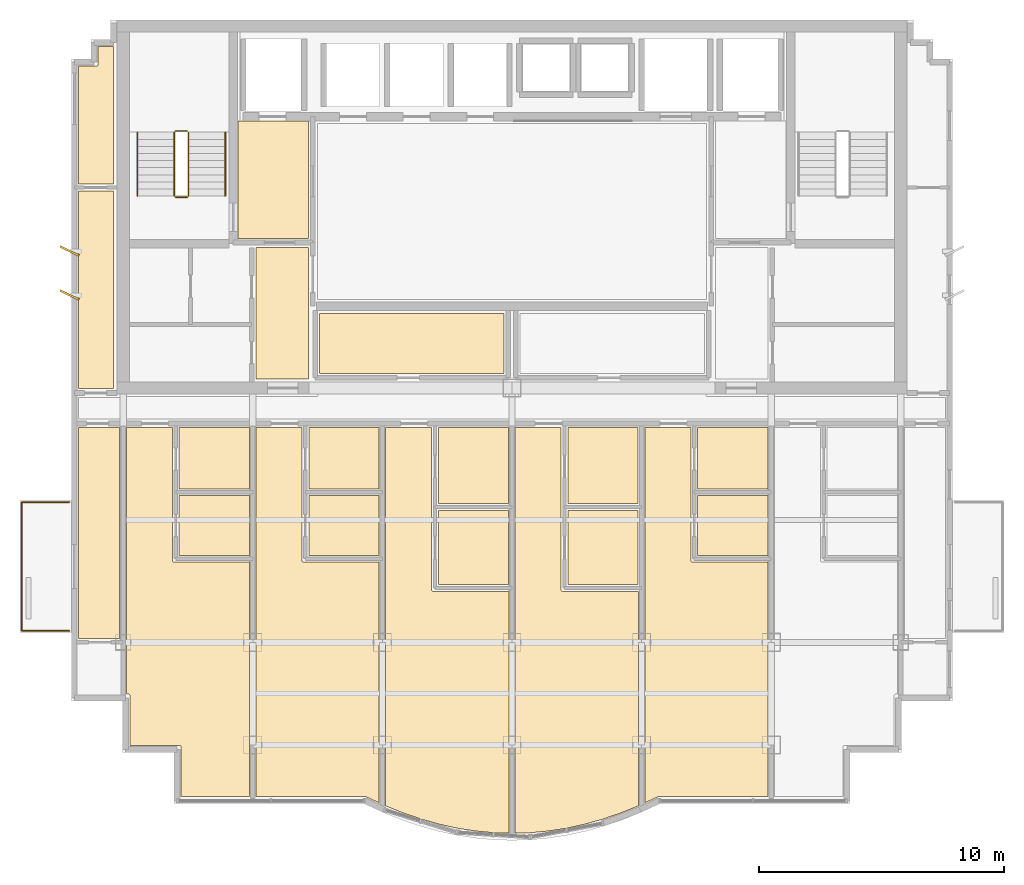
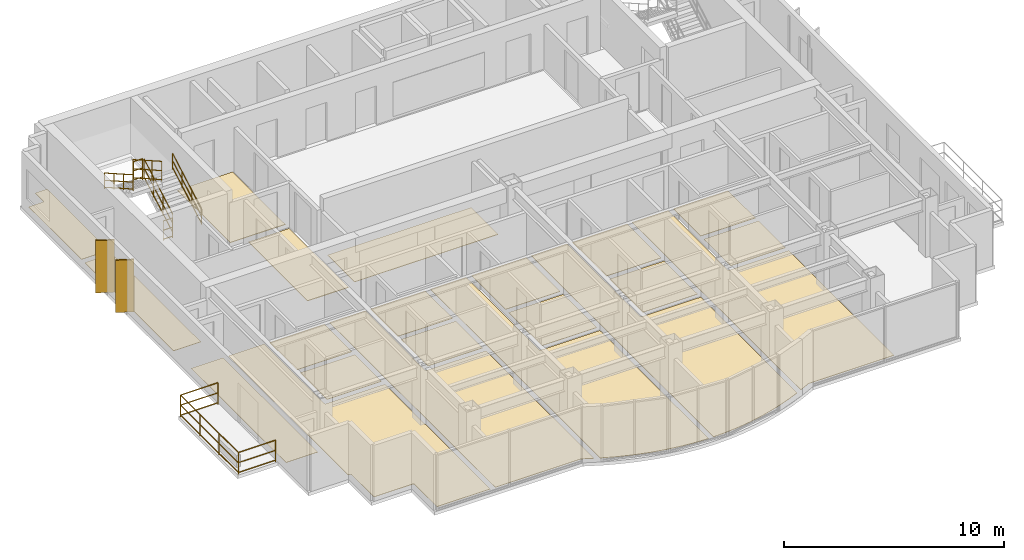
# One storey, part 8 of 9: 21 coverings, 7 railings, 2 shading devices.
"""IFC4 building model written with IfcOpenShell, lengths in metres."""

from ifc_helpers import new_model, si_unit, direction, frame, origin, origin_2d, place, context, subcontext, project, spatial, polyline, rectangle, circle, outline, extrude, source, transform, mapped, material, layer, layer_set, type_object, element, save


model = new_model("IFC4")

# Units and contexts
model_context = context("Model", 3, precision=1e-05, world=origin(), true_north=direction((0.0, 1.0)))
body_context = subcontext(model_context, "Body", "Model", "MODEL_VIEW")
ifc_project = project(units=[si_unit("LENGTHUNIT", "METRE"), si_unit("AREAUNIT", "SQUARE_METRE"), si_unit("VOLUMEUNIT", "CUBIC_METRE"), si_unit("PLANEANGLEUNIT", "RADIAN"), si_unit("MASSUNIT", "GRAM", prefix="KILO")], contexts=[model_context])

# Site, building, storey
site_placement = place(None, origin())
site = spatial("IfcSite", under=ifc_project, at=site_placement, CompositionType="ELEMENT")
building_placement = place(site_placement, origin())
building = spatial("IfcBuilding", under=site, at=building_placement, Name="Qianlan Lanfeng Residences", CompositionType="ELEMENT")
storey_placement = place(building_placement, frame((0.0, 0.0, 233.0)))
storey = spatial("IfcBuildingStorey", under=building, at=storey_placement, Name="L64", CompositionType="ELEMENT", Elevation=233.0)

# Coverings
ifc_material_1 = material(Name="Honed Taitung Granite Stone Flooring", Category="masonry")
ifc_layer_1 = layer(ifc_material_1, 0.030029296875)
ifc_layer_set_1 = layer_set([ifc_layer_1], Name="Honed Taitung Granite Stone Flooring")
covering_type_1 = type_object("IfcCoveringType", Name="FLR-STN-30", PredefinedType="FLOORING", material=ifc_layer_set_1)
covering_1_placement = place(storey_placement, origin())
element("IfcCovering", 1, at=covering_1_placement, inside=storey, type_object=covering_type_1, Name="L64 Firefighting Lift Lobby Floor Finish", PredefinedType="FLOORING", context=body_context, shape_type="SweptSolid", body=[
    extrude(outline(polyline([(15.2900390625, 31.320068359375), (18.179931640625, 31.320068359375), (18.179931640625, 36.110107421875), (15.2900390625, 36.110107421875), (15.2900390625, 31.320068359375)])), origin(), (0.0, 0.0, 1.0), 0.030029296875),
])
covering_2_placement = place(storey_placement, origin())
element("IfcCovering", 2, at=covering_2_placement, inside=storey, type_object=covering_type_1, Name="L64 Lift Lobby Floor Finish", PredefinedType="FLOORING", context=body_context, shape_type="SweptSolid", body=[
    extrude(outline(polyline([(16.030029296875, 25.56005859375), (18.169921875, 25.56005859375), (18.169921875, 30.949951171875), (16.030029296875, 30.949951171875), (16.030029296875, 25.56005859375)])), origin(), (0.0, 0.0, 1.0), 0.030029296875),
])
ifc_material_2 = material(Name="Slip-Resistant Porcelain Tile Flooring")
ifc_layer_2 = layer(ifc_material_2, 0.02001953125)
ifc_layer_set_2 = layer_set([ifc_layer_2], Name="Slip-Resistant Porcelain Tile Flooring")
covering_type_2 = type_object("IfcCoveringType", Name="FLR-TIL-20", PredefinedType="FLOORING", material=ifc_layer_set_2)
covering_3_placement = place(storey_placement, origin())
element("IfcCovering", 3, at=covering_3_placement, inside=storey, type_object=covering_type_2, Name="L64 Kitchen Floor Finish", PredefinedType="FLOORING", context=body_context, shape_type="SweptSolid", body=[
    extrude(outline(polyline([(12.889892578125, 18.360107421875), (15.760009765625, 18.360107421875), (15.760009765625, 20.794921875), (12.889892578125, 20.794921875), (12.889892578125, 18.360107421875)])), origin(), (0.0, 0.0, 1.0), 0.02001953125),
])
covering_4_placement = place(storey_placement, origin())
element("IfcCovering", 4, at=covering_4_placement, inside=storey, type_object=covering_type_2, Name="L64 Bathroom Floor Finish", PredefinedType="FLOORING", context=body_context, shape_type="SweptSolid", body=[
    extrude(outline(polyline([(12.889892578125, 21.074951171875), (15.760009765625, 21.074951171875), (15.760009765625, 23.580078125), (12.889892578125, 23.580078125), (12.889892578125, 21.074951171875)])), origin(), (0.0, 0.0, 1.0), 0.02001953125),
])
covering_5_placement = place(storey_placement, origin())
element("IfcCovering", 5, at=covering_5_placement, inside=storey, type_object=covering_type_2, Name="L64 Kitchen Floor Finish", PredefinedType="FLOORING", context=body_context, shape_type="SweptSolid", body=[
    extrude(outline(polyline([(18.18994140625, 18.360107421875), (21.06005859375, 18.360107421875), (21.06005859375, 20.794921875), (18.18994140625, 20.794921875), (18.18994140625, 18.360107421875)])), origin(), (0.0, 0.0, 1.0), 0.02001953125),
])
covering_6_placement = place(storey_placement, origin())
element("IfcCovering", 6, at=covering_6_placement, inside=storey, type_object=covering_type_2, Name="L64 Bathroom Floor Finish", PredefinedType="FLOORING", context=body_context, shape_type="SweptSolid", body=[
    extrude(outline(polyline([(18.18994140625, 21.074951171875), (21.06005859375, 21.074951171875), (21.06005859375, 23.580078125), (18.18994140625, 23.580078125), (18.18994140625, 21.074951171875)])), origin(), (0.0, 0.0, 1.0), 0.02001953125),
])
covering_7_placement = place(storey_placement, origin())
element("IfcCovering", 7, at=covering_7_placement, inside=storey, type_object=covering_type_2, Name="L64 Kitchen Floor Finish", PredefinedType="FLOORING", context=body_context, shape_type="SweptSolid", body=[
    extrude(outline(polyline([(23.489990234375, 17.159912109375), (26.360107421875, 17.159912109375), (26.360107421875, 20.195068359375), (23.489990234375, 20.195068359375), (23.489990234375, 17.159912109375)])), origin(), (0.0, 0.0, 1.0), 0.02001953125),
])
covering_8_placement = place(storey_placement, origin())
element("IfcCovering", 8, at=covering_8_placement, inside=storey, type_object=covering_type_2, Name="L64 Bathroom Floor Finish", PredefinedType="FLOORING", context=body_context, shape_type="SweptSolid", body=[
    extrude(outline(polyline([(23.489990234375, 20.47509765625), (26.360107421875, 20.47509765625), (26.360107421875, 23.580078125), (23.489990234375, 23.580078125), (23.489990234375, 20.47509765625)])), origin(), (0.0, 0.0, 1.0), 0.02001953125),
])
covering_9_placement = place(storey_placement, origin())
element("IfcCovering", 9, at=covering_9_placement, inside=storey, type_object=covering_type_2, Name="L64 Kitchen Floor Finish", PredefinedType="FLOORING", context=body_context, shape_type="SweptSolid", body=[
    extrude(outline(polyline([(28.7900390625, 17.159912109375), (31.659912109375, 17.159912109375), (31.659912109375, 20.195068359375), (28.7900390625, 20.195068359375), (28.7900390625, 17.159912109375)])), origin(), (0.0, 0.0, 1.0), 0.02001953125),
])
covering_10_placement = place(storey_placement, origin())
element("IfcCovering", 10, at=covering_10_placement, inside=storey, type_object=covering_type_2, Name="L64 Bathroom Floor Finish", PredefinedType="FLOORING", context=body_context, shape_type="SweptSolid", body=[
    extrude(outline(polyline([(28.7900390625, 20.47509765625), (31.659912109375, 20.47509765625), (31.659912109375, 23.580078125), (28.7900390625, 23.580078125), (28.7900390625, 20.47509765625)])), origin(), (0.0, 0.0, 1.0), 0.02001953125),
])
covering_11_placement = place(storey_placement, origin())
element("IfcCovering", 11, at=covering_11_placement, inside=storey, type_object=covering_type_2, Name="L64 Kitchen Floor Finish", PredefinedType="FLOORING", context=body_context, shape_type="SweptSolid", body=[
    extrude(outline(polyline([(34.090087890625, 18.360107421875), (36.9599609375, 18.360107421875), (36.9599609375, 20.794921875), (34.090087890625, 20.794921875), (34.090087890625, 18.360107421875)])), origin(), (0.0, 0.0, 1.0), 0.02001953125),
])
covering_12_placement = place(storey_placement, origin())
element("IfcCovering", 12, at=covering_12_placement, inside=storey, type_object=covering_type_2, Name="L64 Bathroom Floor Finish", PredefinedType="FLOORING", context=body_context, shape_type="SweptSolid", body=[
    extrude(outline(polyline([(34.090087890625, 21.074951171875), (36.9599609375, 21.074951171875), (36.9599609375, 23.580078125), (34.090087890625, 23.580078125), (34.090087890625, 21.074951171875)])), origin(), (0.0, 0.0, 1.0), 0.02001953125),
])
ifc_material_3 = material(Name="Engineered Smoked Oak Timber Flooring", Category="wood")
ifc_layer_3 = layer(ifc_material_3, 0.02197265625)
ifc_layer_set_3 = layer_set([ifc_layer_3], Name="Engineered Smoked Oak Timber Flooring")
covering_type_3 = type_object("IfcCoveringType", Name="FLR-TIM-22", PredefinedType="FLOORING", material=ifc_layer_set_3)
covering_13_placement = place(storey_placement, origin())
element("IfcCovering", 13, at=covering_13_placement, inside=storey, type_object=covering_type_3, Name="L64 Gallery Salon Floor Finish", PredefinedType="FLOORING", context=body_context, shape_type="SweptSolid", body=[
    extrude(outline(polyline([(18.6298828125, 25.800048828125), (26.169921875, 25.800048828125), (26.169921875, 28.2548828125), (18.6298828125, 28.2548828125), (18.6298828125, 25.800048828125)])), origin(), (0.0, 0.0, 1.0), 0.02197265625),
])
covering_14_placement = place(storey_placement, origin())
element("IfcCovering", 14, at=covering_14_placement, inside=storey, type_object=covering_type_3, Name="L64 Studio Living Room Floor Finish", PredefinedType="FLOORING", context=body_context, shape_type="SweptSolid", body=[
    extrude(outline(polyline([(15.77001953125, 8.489990234375), (15.77001953125, 18.080078125), (12.679931640625, 18.080078125), (12.673095703125, 18.080078125), (12.666015625, 18.0810546875), (12.659912109375, 18.0830078125), (12.653076171875, 18.0849609375), (12.64697265625, 18.087890625), (12.64111328125, 18.092041015625), (12.635986328125, 18.095947265625), (12.631103515625, 18.10107421875), (12.6259765625, 18.10595703125), (12.6220703125, 18.111083984375), (12.617919921875, 18.116943359375), (12.614990234375, 18.123046875), (12.613037109375, 18.1298828125), (12.611083984375, 18.135986328125), (12.610107421875, 18.14306640625), (12.610107421875, 18.14990234375), (12.610107421875, 23.580078125), (10.72998046875, 23.580078125), (10.72998046875, 12.68994140625), (10.800048828125, 12.68994140625), (10.806884765625, 12.68994140625), (10.81396484375, 12.68896484375), (10.820068359375, 12.68701171875), (10.826904296875, 12.68505859375), (10.8330078125, 12.681884765625), (10.839111328125, 12.677978515625), (10.843994140625, 12.674072265625), (10.84912109375, 12.6689453125), (10.85400390625, 12.6640625), (10.85791015625, 12.658935546875), (10.862060546875, 12.653076171875), (10.864990234375, 12.64697265625), (10.866943359375, 12.639892578125), (10.868896484375, 12.634033203125), (10.8701171875, 12.626953125), (10.8701171875, 12.6201171875), (10.8701171875, 10.590087890625), (12.89990234375, 10.590087890625), (12.906982421875, 10.590087890625), (12.9140625, 10.589111328125), (12.919921875, 10.5869140625), (12.927001953125, 10.5849609375), (12.93310546875, 10.58203125), (12.93896484375, 10.577880859375), (12.944091796875, 10.573974609375), (12.948974609375, 10.569091796875), (12.9541015625, 10.56396484375), (12.9580078125, 10.55908203125), (12.9619140625, 10.552978515625), (12.965087890625, 10.547119140625), (12.967041015625, 10.5400390625), (12.968994140625, 10.533935546875), (12.969970703125, 10.527099609375), (12.969970703125, 10.52001953125), (12.969970703125, 8.489990234375), (15.77001953125, 8.489990234375)])), origin(), (0.0, 0.0, 1.0), 0.02197265625),
])
covering_15_placement = place(storey_placement, origin())
element("IfcCovering", 15, at=covering_15_placement, inside=storey, type_object=covering_type_3, Name="L64 Studio Living Room Floor Finish", PredefinedType="FLOORING", context=body_context, shape_type="SweptSolid", body=[
    extrude(outline(polyline([(21.070068359375, 8.236083984375), (21.070068359375, 18.080078125), (17.97998046875, 18.080078125), (17.972900390625, 18.080078125), (17.966064453125, 18.0810546875), (17.9599609375, 18.0830078125), (17.952880859375, 18.0849609375), (17.947021484375, 18.087890625), (17.94091796875, 18.092041015625), (17.93603515625, 18.095947265625), (17.930908203125, 18.10107421875), (17.926025390625, 18.10595703125), (17.922119140625, 18.111083984375), (17.91796875, 18.116943359375), (17.9150390625, 18.123046875), (17.9130859375, 18.1298828125), (17.910888671875, 18.135986328125), (17.909912109375, 18.14306640625), (17.909912109375, 18.14990234375), (17.909912109375, 23.580078125), (16.030029296875, 23.580078125), (16.030029296875, 8.489990234375), (20.509033203125, 8.489990234375), (20.51611328125, 8.489990234375), (20.52392578125, 8.488037109375), (20.531005859375, 8.486083984375), (20.5380859375, 8.48291015625), (21.070068359375, 8.236083984375)])), origin(), (0.0, 0.0, 1.0), 0.02197265625),
])
covering_16_placement = place(storey_placement, origin())
element("IfcCovering", 16, at=covering_16_placement, inside=storey, type_object=covering_type_3, Name="L64 Studio Living Room Floor Finish", PredefinedType="FLOORING", context=body_context, shape_type="SweptSolid", body=[
    extrude(outline(polyline([(26.3701171875, 6.993896484375), (26.3701171875, 16.8798828125), (23.280029296875, 16.8798828125), (23.27294921875, 16.8798828125), (23.26611328125, 16.881103515625), (23.260009765625, 16.883056640625), (23.2529296875, 16.885009765625), (23.2470703125, 16.887939453125), (23.240966796875, 16.89208984375), (23.236083984375, 16.89599609375), (23.23095703125, 16.90087890625), (23.22607421875, 16.906005859375), (23.221923828125, 16.910888671875), (23.218017578125, 16.9169921875), (23.215087890625, 16.923095703125), (23.212890625, 16.929931640625), (23.2109375, 16.93603515625), (23.2099609375, 16.943115234375), (23.2099609375, 16.949951171875), (23.2099609375, 23.580078125), (21.330078125, 23.580078125), (21.330078125, 8.114013671875), (21.3310546875, 8.114013671875), (22.071044921875, 7.81591796875), (22.81103515625, 7.56298828125), (23.550048828125, 7.35693359375), (24.2880859375, 7.196044921875), (25.02587890625, 7.08203125), (25.762939453125, 7.012939453125), (26.3701171875, 6.993896484375)])), origin(), (0.0, 0.0, 1.0), 0.02197265625),
])
covering_17_placement = place(storey_placement, origin())
element("IfcCovering", 17, at=covering_17_placement, inside=storey, type_object=covering_type_3, Name="L64 Studio Living Room Floor Finish", PredefinedType="FLOORING", context=body_context, shape_type="SweptSolid", body=[
    extrude(outline(polyline([(31.669921875, 8.114013671875), (31.669921875, 16.8798828125), (28.580078125, 16.8798828125), (28.572998046875, 16.8798828125), (28.56591796875, 16.881103515625), (28.56005859375, 16.883056640625), (28.552978515625, 16.885009765625), (28.547119140625, 16.887939453125), (28.541015625, 16.89208984375), (28.535888671875, 16.89599609375), (28.531005859375, 16.90087890625), (28.52587890625, 16.906005859375), (28.52197265625, 16.910888671875), (28.51806640625, 16.9169921875), (28.514892578125, 16.923095703125), (28.512939453125, 16.929931640625), (28.510986328125, 16.93603515625), (28.510009765625, 16.943115234375), (28.510009765625, 16.949951171875), (28.510009765625, 23.580078125), (26.6298828125, 23.580078125), (26.6298828125, 6.993896484375), (27.237060546875, 7.012939453125), (27.97412109375, 7.08203125), (28.7119140625, 7.196044921875), (29.449951171875, 7.35693359375), (30.18896484375, 7.56298828125), (30.928955078125, 7.81591796875), (31.6689453125, 8.114013671875), (31.669921875, 8.114013671875)])), origin(), (0.0, 0.0, 1.0), 0.02197265625),
])
covering_18_placement = place(storey_placement, origin())
element("IfcCovering", 18, at=covering_18_placement, inside=storey, type_object=covering_type_3, Name="L64 Studio Living Room Floor Finish", PredefinedType="FLOORING", context=body_context, shape_type="SweptSolid", body=[
    extrude(outline(polyline([(36.969970703125, 8.489990234375), (36.969970703125, 18.080078125), (33.8798828125, 18.080078125), (33.873046875, 18.080078125), (33.865966796875, 18.0810546875), (33.860107421875, 18.0830078125), (33.85302734375, 18.0849609375), (33.846923828125, 18.087890625), (33.841064453125, 18.092041015625), (33.8359375, 18.095947265625), (33.8310546875, 18.10107421875), (33.825927734375, 18.10595703125), (33.822021484375, 18.111083984375), (33.818115234375, 18.116943359375), (33.81494140625, 18.123046875), (33.81298828125, 18.1298828125), (33.81103515625, 18.135986328125), (33.81005859375, 18.14306640625), (33.81005859375, 18.14990234375), (33.81005859375, 23.580078125), (31.929931640625, 23.580078125), (31.929931640625, 8.236083984375), (32.4619140625, 8.48291015625), (32.468994140625, 8.486083984375), (32.47607421875, 8.488037109375), (32.48388671875, 8.489990234375), (32.490966796875, 8.489990234375), (36.969970703125, 8.489990234375)])), origin(), (0.0, 0.0, 1.0), 0.02197265625),
])
covering_19_placement = place(storey_placement, origin())
element("IfcCovering", 19, at=covering_19_placement, inside=storey, type_object=covering_type_3, Name="L64 Family Sitting Room Floor Finish", PredefinedType="FLOORING", context=body_context, shape_type="SweptSolid", body=[
    extrude(outline(polyline([(10.43994140625, 23.580078125), (8.77001953125, 23.580078125), (8.77001953125, 14.949951171875), (10.43994140625, 14.949951171875), (10.43994140625, 23.580078125)])), origin(), (0.0, 0.0, 1.0), 0.02197265625),
])
covering_20_placement = place(storey_placement, origin())
element("IfcCovering", 20, at=covering_20_placement, inside=storey, type_object=covering_type_3, Name="L64 Business Meeting Room Floor Finish", PredefinedType="FLOORING", context=body_context, shape_type="SweptSolid", body=[
    extrude(outline(polyline([(10.199951171875, 33.25), (8.77001953125, 33.25), (8.77001953125, 25.179931640625), (10.199951171875, 25.179931640625), (10.199951171875, 33.25)])), origin(), (0.0, 0.0, 1.0), 0.02197265625),
])
covering_21_placement = place(storey_placement, origin())
element("IfcCovering", 21, at=covering_21_placement, inside=storey, type_object=covering_type_3, Name="L64 Resident Lounge Floor Finish", PredefinedType="FLOORING", context=body_context, shape_type="SweptSolid", body=[
    extrude(outline(polyline([(8.77001953125, 33.550048828125), (10.199951171875, 33.550048828125), (10.199951171875, 39.159912109375), (9.570068359375, 39.159912109375), (9.570068359375, 38.429931640625), (9.570068359375, 38.423095703125), (9.569091796875, 38.416015625), (9.56689453125, 38.409912109375), (9.56494140625, 38.403076171875), (9.56201171875, 38.39697265625), (9.55810546875, 38.39111328125), (9.553955078125, 38.385986328125), (9.549072265625, 38.381103515625), (9.5439453125, 38.3759765625), (9.5390625, 38.3720703125), (9.532958984375, 38.367919921875), (9.527099609375, 38.364990234375), (9.52001953125, 38.363037109375), (9.513916015625, 38.361083984375), (9.507080078125, 38.360107421875), (9.5, 38.360107421875), (8.77001953125, 38.360107421875), (8.77001953125, 33.550048828125)])), origin(), (0.0, 0.0, 1.0), 0.02197265625),
])

# Railings
ifc_material_4 = material(Name="Anodised Bronze Aluminium and Laminated Glass Guard Balustrade", Category="aluminium")
railing_type_1 = type_object("IfcRailingType", Name="GR-EXT-1220", PredefinedType="BALUSTRADE", material=ifc_material_4)
railing_1_placement = place(storey_placement, frame((8.409912109375, 15.27001953125, 0.0)))
element("IfcRailing", 22, at=railing_1_placement, inside=storey, type_object=railing_type_1, Name="L64 Terrace Safety Guard GR-L64-WB-S", PredefinedType="BALUSTRADE", context=body_context, shape_type="SweptSolid", body=[
    extrude(circle(Radius=0.02490234375, at=origin_2d()), frame((0.0, 0.0, 0.0849609375), z_axis=(-1.0, 0.0, 0.0), x_axis=(0.0, -1.0, 0.0)), (0.0, 0.0, 1.0), 1.9599609375),
    extrude(circle(Radius=0.02490234375, at=origin_2d()), frame((0.0, 0.0, 0.63427734375), z_axis=(-1.0, 0.0, 0.0), x_axis=(0.0, -1.0, 0.0)), (0.0, 0.0, 1.0), 1.9599609375),
    extrude(circle(Radius=0.02490234375, at=origin_2d()), frame((0.0, 0.0, 1.19482421875), z_axis=(-1.0, 0.0, 0.0), x_axis=(0.0, -1.0, 0.0)), (0.0, 0.0, 1.0), 1.9599609375),
    extrude(circle(Radius=0.02490234375, at=origin_2d()), frame((-1.9599609375, 0.0, 0.0849609375), z_axis=(0.0, 1.0, 0.0), x_axis=(-1.0, 0.0, 0.0)), (0.0, 0.0, 1.0), 5.260009765625),
    extrude(circle(Radius=0.02490234375, at=origin_2d()), frame((-1.9599609375, 0.0, 0.63427734375), z_axis=(0.0, 1.0, 0.0), x_axis=(-1.0, 0.0, 0.0)), (0.0, 0.0, 1.0), 5.260009765625),
    extrude(circle(Radius=0.02490234375, at=origin_2d()), frame((-1.9599609375, 0.0, 1.19482421875), z_axis=(0.0, 1.0, 0.0), x_axis=(-1.0, 0.0, 0.0)), (0.0, 0.0, 1.0), 5.260009765625),
    extrude(circle(Radius=0.02490234375, at=origin_2d()), frame((-1.9599609375, 5.260009765625, 0.0849609375), z_axis=(1.0, 0.0, 0.0), x_axis=(0.0, 1.0, 0.0)), (0.0, 0.0, 1.0), 1.9599609375),
    extrude(circle(Radius=0.02490234375, at=origin_2d()), frame((-1.9599609375, 5.260009765625, 0.63427734375), z_axis=(1.0, 0.0, 0.0), x_axis=(0.0, 1.0, 0.0)), (0.0, 0.0, 1.0), 1.9599609375),
    extrude(circle(Radius=0.02490234375, at=origin_2d()), frame((-1.9599609375, 5.260009765625, 1.19482421875), z_axis=(1.0, 0.0, 0.0), x_axis=(0.0, 1.0, 0.0)), (0.0, 0.0, 1.0), 1.9599609375),
    extrude(circle(Radius=0.02099609375, at=origin_2d()), origin(), (0.0, 0.0, 1.0), 1.169921875),
    extrude(circle(Radius=0.02099609375, at=origin_2d()), frame((-1.9599609375, 0.0, 0.0)), (0.0, 0.0, 1.0), 1.169921875),
    extrude(circle(Radius=0.02099609375, at=origin_2d()), frame((-1.9599609375, 1.75341796875, 0.0)), (0.0, 0.0, 1.0), 1.169921875),
    extrude(circle(Radius=0.02099609375, at=origin_2d()), frame((-1.9599609375, 3.506591796875, 0.0)), (0.0, 0.0, 1.0), 1.169921875),
    extrude(circle(Radius=0.02099609375, at=origin_2d()), frame((-1.9599609375, 5.260009765625, 0.0)), (0.0, 0.0, 1.0), 1.169921875),
    extrude(circle(Radius=0.02099609375, at=origin_2d()), frame((0.0, 5.260009765625, 0.0)), (0.0, 0.0, 1.0), 1.169921875),
])
ifc_material_5 = material(Name="Painted Galvanised Steel Guardrail", Category="steel")
railing_type_2 = type_object("IfcRailingType", Name="GR-ST-1120", PredefinedType="GUARDRAIL", material=ifc_material_5)
railing_2_placement = place(storey_placement, frame((13.27001953125, 33.050048828125, 0.1650390625)))
element("IfcRailing", 23, at=railing_2_placement, inside=storey, type_object=railing_type_2, Name="L64 ST-1 stair guard 1", PredefinedType="GUARDRAIL", context=body_context, shape_type="SweptSolid", body=[
    extrude(circle(Radius=0.02392578125, at=origin_2d()), frame((0.0, 0.0, 0.083984375), z_axis=(0.0, 0.869172267526, 0.494509422927), x_axis=(-1.0, 0.0, 0.0)), (0.0, 0.0, 1.0), 3.002685546875),
    extrude(circle(Radius=0.02392578125, at=origin_2d()), frame((0.0, 0.0, 0.58251953125), z_axis=(0.0, 0.869172267526, 0.494509422927), x_axis=(-1.0, 0.0, 0.0)), (0.0, 0.0, 1.0), 3.002685546875),
    extrude(circle(Radius=0.02392578125, at=origin_2d()), frame((0.0, 0.0, 1.09619140625), z_axis=(0.0, 0.869172267526, 0.494509422927), x_axis=(-1.0, 0.0, 0.0)), (0.0, 0.0, 1.0), 3.002685546875),
    extrude(circle(Radius=0.02099609375, at=origin_2d()), origin(), (0.0, 0.0, 1.0), 1.072021484375),
    extrude(circle(Radius=0.02099609375, at=origin_2d()), frame((0.0, 0.869873046875, 0.494873046875)), (0.0, 0.0, 1.0), 1.072021484375),
    extrude(circle(Radius=0.02099609375, at=origin_2d()), frame((0.0, 1.739990234375, 0.989990234375)), (0.0, 0.0, 1.0), 1.072021484375),
    extrude(circle(Radius=0.02099609375, at=origin_2d()), frame((0.0, 2.60986328125, 1.48486328125)), (0.0, 0.0, 1.0), 1.072021484375),
])
railing_3_placement = place(storey_placement, frame((13.219970703125, 35.7099609375, 1.64990234375)))
element("IfcRailing", 24, at=railing_3_placement, inside=storey, type_object=railing_type_2, Name="L64 ST-1 stair guard 2", PredefinedType="GUARDRAIL", context=body_context, shape_type="SweptSolid", body=[
    extrude(circle(Radius=0.02392578125, at=origin_2d()), frame((0.0, 0.0, 0.083984375), z_axis=(-1.0, 0.0, 0.0), x_axis=(0.0, -1.0, 0.0)), (0.0, 0.0, 1.0), 0.47998046875),
    extrude(circle(Radius=0.02392578125, at=origin_2d()), frame((0.0, 0.0, 0.58251953125), z_axis=(-1.0, 0.0, 0.0), x_axis=(0.0, -1.0, 0.0)), (0.0, 0.0, 1.0), 0.47998046875),
    extrude(circle(Radius=0.02392578125, at=origin_2d()), frame((0.0, 0.0, 1.09619140625), z_axis=(-1.0, 0.0, 0.0), x_axis=(0.0, -1.0, 0.0)), (0.0, 0.0, 1.0), 0.47998046875),
    extrude(circle(Radius=0.02099609375, at=origin_2d()), origin(), (0.0, 0.0, 1.0), 1.072021484375),
    extrude(circle(Radius=0.02099609375, at=origin_2d()), frame((-0.47998046875, 0.0, 0.0)), (0.0, 0.0, 1.0), 1.072021484375),
])
railing_4_placement = place(storey_placement, frame((12.68994140625, 35.659912109375, 1.81494140625)))
element("IfcRailing", 25, at=railing_4_placement, inside=storey, type_object=railing_type_2, Name="L64 ST-1 stair guard 3", PredefinedType="GUARDRAIL", context=body_context, shape_type="SweptSolid", body=[
    extrude(circle(Radius=0.02392578125, at=origin_2d()), frame((0.0, 0.0, 0.083984375), z_axis=(0.0, -0.869137319866, 0.494570843475), x_axis=(1.0, 0.0, 0.0)), (0.0, 0.0, 1.0), 3.0029296875),
    extrude(circle(Radius=0.02392578125, at=origin_2d()), frame((0.0, 0.0, 0.58251953125), z_axis=(0.0, -0.869137319866, 0.494570843475), x_axis=(1.0, 0.0, 0.0)), (0.0, 0.0, 1.0), 3.0029296875),
    extrude(circle(Radius=0.02392578125, at=origin_2d()), frame((0.0, 0.0, 1.09619140625), z_axis=(0.0, -0.869137319866, 0.494570843475), x_axis=(1.0, 0.0, 0.0)), (0.0, 0.0, 1.0), 3.0029296875),
    extrude(circle(Radius=0.02099609375, at=origin_2d()), origin(), (0.0, 0.0, 1.0), 1.072021484375),
    extrude(circle(Radius=0.02099609375, at=origin_2d()), frame((0.0, -0.869873046875, 0.4951171875)), (0.0, 0.0, 1.0), 1.072021484375),
    extrude(circle(Radius=0.02099609375, at=origin_2d()), frame((0.0, -1.739990234375, 0.989990234375)), (0.0, 0.0, 1.0), 1.072021484375),
    extrude(circle(Radius=0.02099609375, at=origin_2d()), frame((0.0, -2.60986328125, 1.485107421875)), (0.0, 0.0, 1.0), 1.072021484375),
])
railing_5_placement = place(storey_placement, frame((13.219970703125, 33.0, 0.0)))
element("IfcRailing", 26, at=railing_5_placement, inside=storey, type_object=railing_type_2, Name="L64 ST-1 stair guard 4", PredefinedType="GUARDRAIL", context=body_context, shape_type="SweptSolid", body=[
    extrude(circle(Radius=0.02392578125, at=origin_2d()), frame((0.0, 0.0, 0.083984375), z_axis=(-1.0, 0.0, 0.0), x_axis=(0.0, -1.0, 0.0)), (0.0, 0.0, 1.0), 0.47998046875),
    extrude(circle(Radius=0.02392578125, at=origin_2d()), frame((0.0, 0.0, 0.58251953125), z_axis=(-1.0, 0.0, 0.0), x_axis=(0.0, -1.0, 0.0)), (0.0, 0.0, 1.0), 0.47998046875),
    extrude(circle(Radius=0.02392578125, at=origin_2d()), frame((0.0, 0.0, 1.09619140625), z_axis=(-1.0, 0.0, 0.0), x_axis=(0.0, -1.0, 0.0)), (0.0, 0.0, 1.0), 0.47998046875),
    extrude(circle(Radius=0.02099609375, at=origin_2d()), origin(), (0.0, 0.0, 1.0), 1.072021484375),
    extrude(circle(Radius=0.02099609375, at=origin_2d()), frame((-0.47998046875, 0.0, 0.0)), (0.0, 0.0, 1.0), 1.072021484375),
])
ifc_material_6 = material(Name="Brushed Stainless Steel Handrail", Category="steel")
railing_type_3 = type_object("IfcRailingType", Name="HR-ST-920", PredefinedType="HANDRAIL", material=ifc_material_6)
railing_6_placement = place(storey_placement, frame((14.77001953125, 33.050048828125, 0.1650390625)))
element("IfcRailing", 27, at=railing_6_placement, inside=storey, type_object=railing_type_3, Name="L64 ST-1 stair handrail 1", PredefinedType="HANDRAIL", context=body_context, shape_type="SweptSolid", body=[
    extrude(circle(Radius=0.02392578125, at=origin_2d()), frame((0.0, 0.0, 0.083984375), z_axis=(0.0, 0.869172267526, 0.494509422927), x_axis=(-1.0, 0.0, 0.0)), (0.0, 0.0, 1.0), 3.002685546875),
    extrude(circle(Radius=0.02392578125, at=origin_2d()), frame((0.0, 0.0, 0.468017578125), z_axis=(0.0, 0.869172267526, 0.494509422927), x_axis=(-1.0, 0.0, 0.0)), (0.0, 0.0, 1.0), 3.002685546875),
    extrude(circle(Radius=0.02392578125, at=origin_2d()), frame((0.0, 0.0, 0.8759765625), z_axis=(0.0, 0.869172267526, 0.494509422927), x_axis=(-1.0, 0.0, 0.0)), (0.0, 0.0, 1.0), 3.002685546875),
    extrude(circle(Radius=0.02099609375, at=origin_2d()), origin(), (0.0, 0.0, 1.0), 0.851806640625),
    extrude(circle(Radius=0.02099609375, at=origin_2d()), frame((0.0, 0.869873046875, 0.494873046875)), (0.0, 0.0, 1.0), 0.851806640625),
    extrude(circle(Radius=0.02099609375, at=origin_2d()), frame((0.0, 1.739990234375, 0.989990234375)), (0.0, 0.0, 1.0), 0.851806640625),
    extrude(circle(Radius=0.02099609375, at=origin_2d()), frame((0.0, 2.60986328125, 1.48486328125)), (0.0, 0.0, 1.0), 0.851806640625),
])
railing_7_placement = place(storey_placement, frame((11.18994140625, 35.659912109375, 1.81494140625)))
element("IfcRailing", 28, at=railing_7_placement, inside=storey, type_object=railing_type_3, Name="L64 ST-1 stair handrail 2", PredefinedType="HANDRAIL", context=body_context, shape_type="SweptSolid", body=[
    extrude(circle(Radius=0.02392578125, at=origin_2d()), frame((0.0, 0.0, 0.083984375), z_axis=(0.0, -0.869137319866, 0.494570843475), x_axis=(1.0, 0.0, 0.0)), (0.0, 0.0, 1.0), 3.0029296875),
    extrude(circle(Radius=0.02392578125, at=origin_2d()), frame((0.0, 0.0, 0.468017578125), z_axis=(0.0, -0.869137319866, 0.494570843475), x_axis=(1.0, 0.0, 0.0)), (0.0, 0.0, 1.0), 3.0029296875),
    extrude(circle(Radius=0.02392578125, at=origin_2d()), frame((0.0, 0.0, 0.8759765625), z_axis=(0.0, -0.869137319866, 0.494570843475), x_axis=(1.0, 0.0, 0.0)), (0.0, 0.0, 1.0), 3.0029296875),
    extrude(circle(Radius=0.02099609375, at=origin_2d()), origin(), (0.0, 0.0, 1.0), 0.851806640625),
    extrude(circle(Radius=0.02099609375, at=origin_2d()), frame((0.0, -0.869873046875, 0.4951171875)), (0.0, 0.0, 1.0), 0.851806640625),
    extrude(circle(Radius=0.02099609375, at=origin_2d()), frame((0.0, -1.739990234375, 0.989990234375)), (0.0, 0.0, 1.0), 0.851806640625),
    extrude(circle(Radius=0.02099609375, at=origin_2d()), frame((0.0, -2.60986328125, 1.485107421875)), (0.0, 0.0, 1.0), 0.851806640625),
])

# Shading devices
ifc_material_7 = material(Name="Anodised Bronze Aluminium Solar Fin", Category="aluminium")
shading_device_type = type_object("IfcShadingDeviceType", Name="FIN-BRZ-850", PredefinedType="SHUTTER", material=ifc_material_7)
shared_shape = source(origin(), body_context, "Body", "SweptSolid", [
    extrude(rectangle(XDim=0.85009765625, YDim=0.080078125, at=origin_2d()), origin(), (0.0, 0.0, 1.0), 2.89990234375),
])
for number, where, z_axis, x_axis, name in (
    (29, (8.409912109375, 29.0, 0.0), (0.0, 0.0, 1.0), (0.898794046299, -0.438371146789, 0.0), "L64 Raked Bronze Solar Fin W1"),
    (30, (8.409912109375, 30.800048828125, 0.0), (0.0, 0.0, 1.0), (0.898794046299, -0.438371146789, 0.0), "L64 Raked Bronze Solar Fin W2"),
):
    element("IfcShadingDevice", number, at=place(storey_placement, frame(where, z_axis=z_axis, x_axis=x_axis)), inside=storey, type_object=shading_device_type, Name=name, PredefinedType="SHUTTER", context=body_context, shape_type="MappedRepresentation", body=[
        mapped(shared_shape, transform((0.0, 0.0, 0.0), scale=1.0)),
    ])

save(model, "model.ifc")
